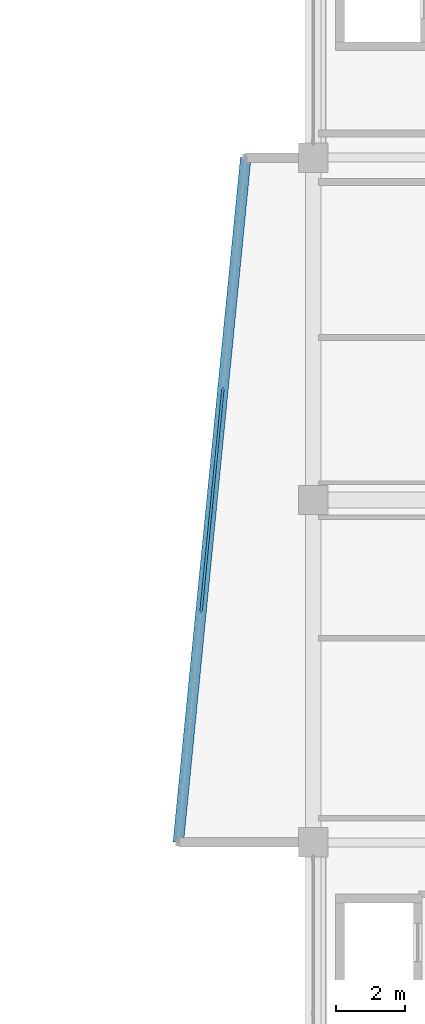
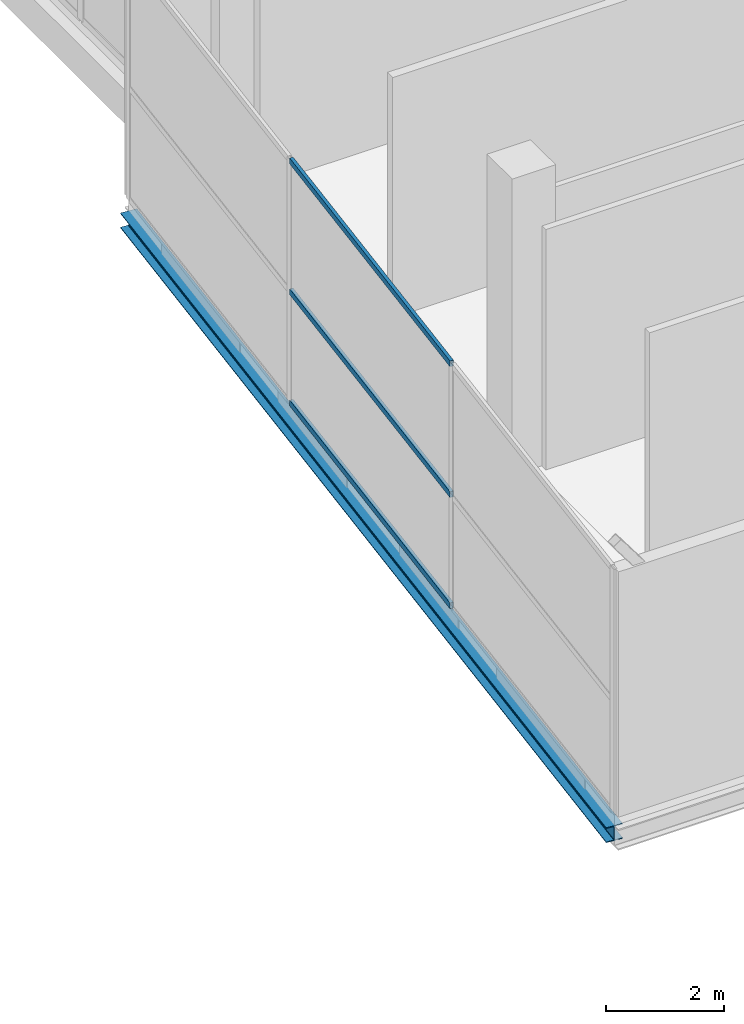
# One storey, part 11 of 58: 3 members, 1 beam, 1 element without a shape of its own.
"""IFC4 building model written with IfcOpenShell, lengths in metres."""

from ifc_helpers import new_model, si_unit, direction, frame, origin, origin_2d, place, context, subcontext, project, spatial, hollow_rectangle, i_section, extrude, material, layer, layer_set, material_profile, profile_set, type_object, element, aggregate, save


model = new_model("IFC4")

# Units and contexts
model_context = context("Model", 3, precision=1e-05, world=origin(), true_north=direction((0.0, 1.0)))
body_context = subcontext(model_context, "Body", "Model", "MODEL_VIEW")
ifc_project = project(units=[si_unit("LENGTHUNIT", "METRE"), si_unit("AREAUNIT", "SQUARE_METRE"), si_unit("VOLUMEUNIT", "CUBIC_METRE"), si_unit("PLANEANGLEUNIT", "RADIAN"), si_unit("MASSUNIT", "GRAM", prefix="KILO")], contexts=[model_context])

# Site, building, storey
site_placement = place(None, origin())
site = spatial("IfcSite", under=ifc_project, at=site_placement, CompositionType="ELEMENT")
building_placement = place(site_placement, origin())
building = spatial("IfcBuilding", under=site, at=building_placement, Name="Sillaruma Civic Art Gallery", CompositionType="ELEMENT")
storey_placement = place(building_placement, frame((0.0, 0.0, 22.43994140625)))
storey = spatial("IfcBuildingStorey", under=building, at=storey_placement, Name="L04", CompositionType="ELEMENT", Elevation=22.43994140625)

# Beam
ifc_material_1 = material(Name="Structural Steel ASTM A992 Gr.50", Category="steel")
ifc_material_profile_1 = material_profile(ifc_material_1, i_section(OverallWidth=0.305908203125, OverallDepth=0.31103515625, WebThickness=0.010986328125, FlangeThickness=0.01708984375, FilletRadius=0.014892578125, at=origin_2d()), Name="W310x107")
ifc_profile_set_1 = profile_set([ifc_material_profile_1], Name="Structural Steel ASTM A992 Gr.50")
beam_type = type_object("IfcBeamType", Name="BM-PROW-W310x107", PredefinedType="SPANDREL", material=ifc_profile_set_1)
beam_placement = place(storey_placement, frame((58.10009765625, 49.5, -0.41552734375), z_axis=(0.098008009694, 0.995185625919, 0.0), x_axis=(-0.995185625919, 0.098008009694, 0.0)))
element("IfcBeam", 1, at=beam_placement, inside=storey, type_object=beam_type, Name="Angled Prow Edge Spandrel (PRW-L04-W-FLR)", PredefinedType="SPANDREL", context=body_context, shape_type="SweptSolid", body=[
    extrude(i_section(OverallWidth=0.305908203125, OverallDepth=0.31103515625, WebThickness=0.010986328125, FlangeThickness=0.01708984375, FilletRadius=0.014892578125, at=origin_2d()), origin(), (0.0, 0.0, 1.0), 19.895751953125),
])

# Curtain wall, members
ifc_material_2 = material(Name="Thermally Broken Extruded Aluminium 6063-T6", Category="aluminium")
ifc_layer = layer(ifc_material_2, 0.159912109375, Name="Thermally Broken Extruded Aluminium 6063-T6")
ifc_layer_set = layer_set([ifc_layer], Name="Thermally Broken Extruded Aluminium 6063-T6")
curtain_wall_type = type_object("IfcCurtainWallType", Name="CW-UNI-25", PredefinedType="NOTDEFINED", material=ifc_layer_set)
curtain_wall_placement = place(storey_placement, origin())
curtain_wall = element("IfcCurtainWall", 2, at=curtain_wall_placement, inside=storey, type_object=curtain_wall_type, Name="Unitised Curtain Wall CW-25 (CW-PRW-L04-W-ANG)", PredefinedType="NOTDEFINED")
ifc_material_profile_2 = material_profile(ifc_material_2, hollow_rectangle(XDim=0.06494140625, YDim=0.1201171875, WallThickness=0.00341796875, at=origin_2d()), Name="CWT65x120")
ifc_profile_set_2 = profile_set([ifc_material_profile_2], Name="Thermally Broken Extruded Aluminium 6063-T6")
member_type = type_object("IfcMemberType", Name="MEM-TRN-CWT65x120", PredefinedType="USERDEFINED", material=ifc_profile_set_2)
member_1_placement = place(storey_placement, frame((59.396728515625, 62.667724609375, 0.032470703125), z_axis=(-0.097998127506, -0.995186599089, 0.0), x_axis=(0.995186599089, -0.097998127506, 0.0)))
member_1 = element("IfcMember", 3, at=member_1_placement, type_object=member_type, Name="CW-25 transom 2.1", ObjectType="TRANSOM", PredefinedType="USERDEFINED", context=body_context, shape_type="SweptSolid", body=[
    extrude(hollow_rectangle(XDim=0.06494140625, YDim=0.1201171875, WallThickness=0.00341796875, at=origin_2d()), origin(), (0.0, 0.0, 1.0), 6.56689453125),
])
member_2_placement = place(storey_placement, frame((59.396728515625, 62.667724609375, 2.32763671875), z_axis=(-0.097998127506, -0.995186599089, 0.0), x_axis=(0.995186599089, -0.097998127506, 0.0)))
member_2 = element("IfcMember", 4, at=member_2_placement, type_object=member_type, Name="CW-25 transom 2.2", ObjectType="TRANSOM", PredefinedType="USERDEFINED", context=body_context, shape_type="SweptSolid", body=[
    extrude(hollow_rectangle(XDim=0.06494140625, YDim=0.1201171875, WallThickness=0.00341796875, at=origin_2d()), origin(), (0.0, 0.0, 1.0), 6.56689453125),
])
member_3_placement = place(storey_placement, frame((59.396728515625, 62.667724609375, 5.027587890625), z_axis=(-0.097998127506, -0.995186599089, 0.0), x_axis=(0.995186599089, -0.097998127506, 0.0)))
member_3 = element("IfcMember", 5, at=member_3_placement, type_object=member_type, Name="CW-25 transom 2.3", ObjectType="TRANSOM", PredefinedType="USERDEFINED", context=body_context, shape_type="SweptSolid", body=[
    extrude(hollow_rectangle(XDim=0.06494140625, YDim=0.1201171875, WallThickness=0.00341796875, at=origin_2d()), origin(), (0.0, 0.0, 1.0), 6.56689453125),
])
aggregate(curtain_wall, [member_1, member_2, member_3])

save(model, "model.ifc")
